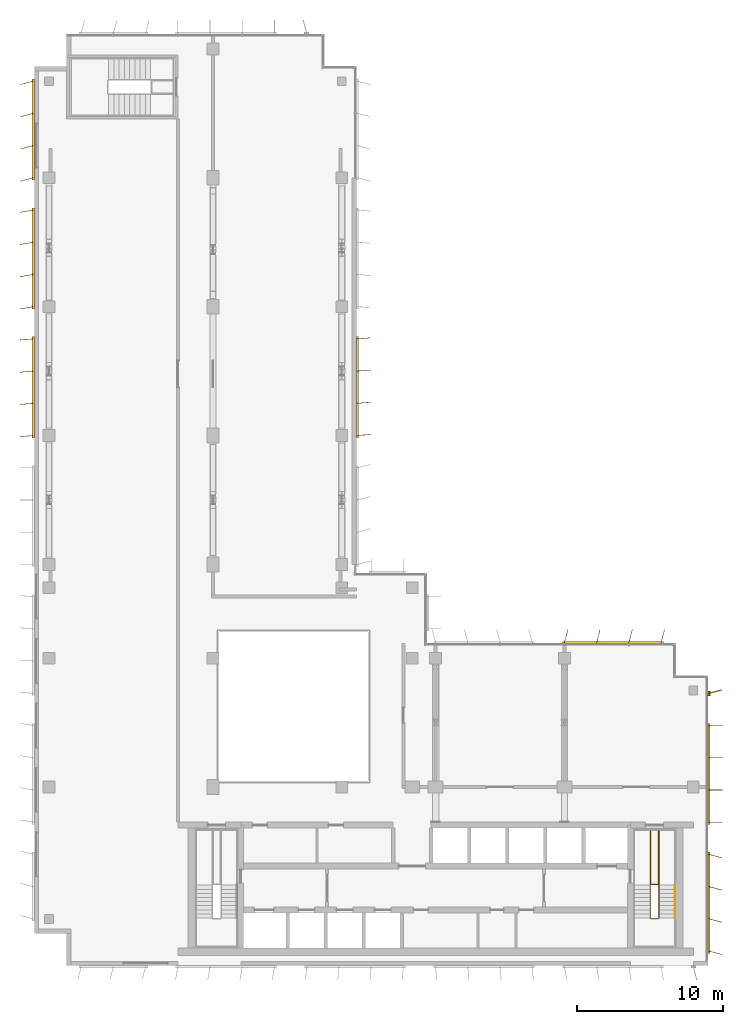
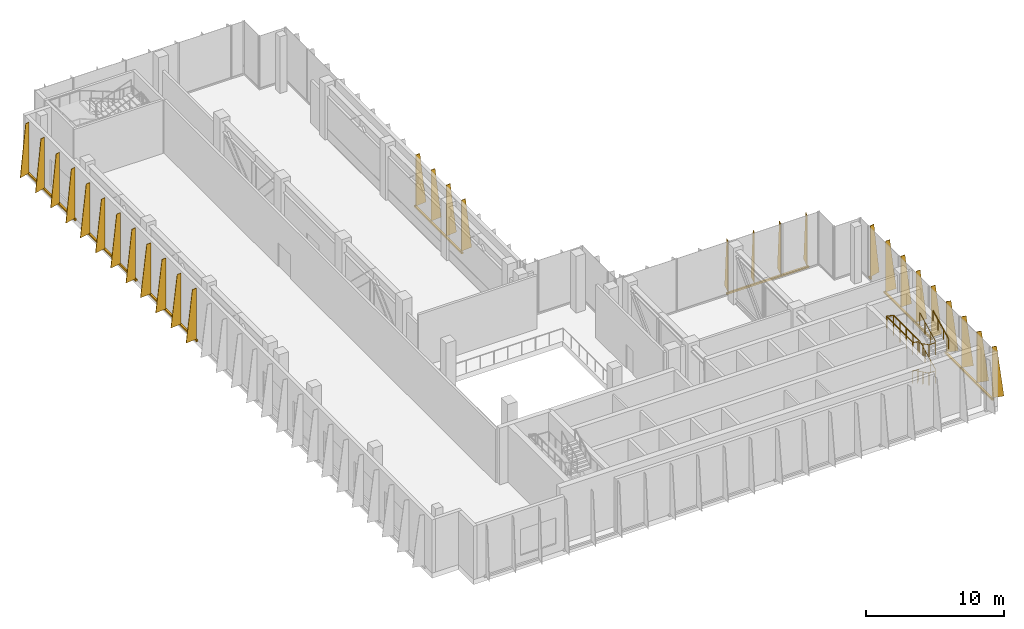
# One storey, part 12 of 13: 8 shading devices, 2 railings.
"""IFC4 building model written with IfcOpenShell, lengths in metres."""

from ifc_helpers import new_model, si_unit, direction, frame, origin, origin_2d, place, context, subcontext, project, spatial, polyline, rectangle, circle, outline, extrude, source, transform, mapped, material, layer, layer_set, type_object, element, save


model = new_model("IFC4")

# Units and contexts
model_context = context("Model", 3, precision=1e-05, world=origin(), true_north=direction((0.0, 1.0)))
body_context = subcontext(model_context, "Body", "Model", "MODEL_VIEW")
ifc_project = project(units=[si_unit("LENGTHUNIT", "METRE"), si_unit("AREAUNIT", "SQUARE_METRE"), si_unit("VOLUMEUNIT", "CUBIC_METRE"), si_unit("PLANEANGLEUNIT", "RADIAN"), si_unit("MASSUNIT", "GRAM", prefix="KILO")], contexts=[model_context])

# Site, building, storey
site_placement = place(None, origin())
site = spatial("IfcSite", under=ifc_project, at=site_placement, CompositionType="ELEMENT")
building_placement = place(site_placement, origin())
building = spatial("IfcBuilding", under=site, at=building_placement, Name="Kemantara Hotel Tower", CompositionType="ELEMENT")
storey_placement = place(building_placement, frame((0.0, 0.0, 256.10009765625)))
storey = spatial("IfcBuildingStorey", under=building, at=storey_placement, Name="L64", CompositionType="ELEMENT", Elevation=256.10009765625)

# Railings
ifc_material_1 = material(Name="Stainless steel balustrade", Category="steel")
railing_type_1 = type_object("IfcRailingType", Name="Stair guard 1100 mm", PredefinedType="GUARDRAIL", material=ifc_material_1)
railing_1_placement = place(storey_placement, frame((42.64990234375, 5.5, 5.0)))
element("IfcRailing", 1, at=railing_1_placement, inside=storey, type_object=railing_type_1, Name="L64 ST2 stair guard 1", PredefinedType="GUARDRAIL", context=body_context, shape_type="SweptSolid", body=[
    extrude(circle(Radius=0.02392578125, at=origin_2d()), frame((0.0, 0.0, 1.076171875), z_axis=(0.0, -0.895809322535, -0.44443858705), x_axis=(1.0, 0.0, 0.0)), (0.0, 0.0, 1.0), 2.50048828125),
    extrude(circle(Radius=0.02392578125, at=origin_2d()), frame((0.0, -2.239990234375, -0.03515625), z_axis=(-0.320055623881, -0.321624523998, -0.891135266492), x_axis=(0.708833529934, -0.705375805398, 0.0)), (0.0, 0.0, 1.0), 0.155517578125),
    extrude(circle(Radius=0.02392578125, at=origin_2d()), frame((-0.0498046875, -2.2900390625, -0.173828125), z_axis=(-1.0, 0.0, 0.0), x_axis=(0.0, -1.0, 0.0)), (0.0, 0.0, 1.0), 0.5),
    extrude(circle(Radius=0.02392578125, at=origin_2d()), frame((-0.5498046875, -2.2900390625, -0.173828125), z_axis=(-0.707106781187, 0.707106781187, 0.0), x_axis=(-0.707106781187, -0.707106781187, 0.0)), (0.0, 0.0, 1.0), 0.07080078125),
    extrude(circle(Radius=0.02392578125, at=origin_2d()), frame((-0.599853515625, -2.239990234375, -0.173828125), z_axis=(0.0, 0.895809322535, -0.44443858705), x_axis=(-1.0, 0.0, 0.0)), (0.0, 0.0, 1.0), 2.50048828125),
    extrude(circle(Radius=0.02392578125, at=origin_2d()), frame((-0.599853515625, 0.0, -1.28515625), z_axis=(0.0, 1.0, 0.0), x_axis=(-1.0, 0.0, 0.0)), (0.0, 0.0, 1.0), 3.780029296875),
    extrude(circle(Radius=0.02392578125, at=origin_2d()), frame((-0.599853515625, 3.780029296875, -1.28515625), z_axis=(0.969659572532, 0.0, -0.244459226453), x_axis=(0.0, 1.0, 0.0)), (0.0, 0.0, 1.0), 0.567138671875),
    extrude(circle(Radius=0.02392578125, at=origin_2d()), frame((-0.0498046875, 3.780029296875, -1.423828125), z_axis=(0.0, -1.0, 0.0), x_axis=(1.0, 0.0, 0.0)), (0.0, 0.0, 1.0), 3.72998046875),
    extrude(circle(Radius=0.02392578125, at=origin_2d()), frame((-0.0498046875, 0.050048828125, -1.423828125), z_axis=(-1.0, 0.0, 0.0), x_axis=(0.0, -1.0, 0.0)), (0.0, 0.0, 1.0), 0.5),
    extrude(circle(Radius=0.02392578125, at=origin_2d()), frame((-0.5498046875, 0.050048828125, -1.423828125), z_axis=(0.0, 1.0, 0.0), x_axis=(-1.0, 0.0, 0.0)), (0.0, 0.0, 1.0), 3.72998046875),
    extrude(circle(Radius=0.02392578125, at=origin_2d()), frame((-0.5498046875, 3.780029296875, -1.423828125), z_axis=(1.0, 0.0, 0.0), x_axis=(0.0, 1.0, 0.0)), (0.0, 0.0, 1.0), 0.5498046875),
    extrude(circle(Radius=0.02392578125, at=origin_2d()), frame((0.0, 3.780029296875, -1.423828125), z_axis=(0.0, -1.0, 0.0), x_axis=(1.0, 0.0, 0.0)), (0.0, 0.0, 1.0), 3.780029296875),
    extrude(circle(Radius=0.02392578125, at=origin_2d()), frame((0.0, 0.0, -1.423828125), z_axis=(0.0, -0.895809322535, -0.44443858705), x_axis=(1.0, 0.0, 0.0)), (0.0, 0.0, 1.0), 2.50048828125),
    extrude(circle(Radius=0.02392578125, at=origin_2d()), frame((0.0, -2.239990234375, -2.53515625), z_axis=(-0.320055623881, -0.321624523998, -0.891135266492), x_axis=(0.708833529934, -0.705375805398, 0.0)), (0.0, 0.0, 1.0), 0.155517578125),
    extrude(circle(Radius=0.02392578125, at=origin_2d()), frame((-0.0498046875, -2.2900390625, -2.673828125), z_axis=(-1.0, 0.0, 0.0), x_axis=(0.0, -1.0, 0.0)), (0.0, 0.0, 1.0), 0.5),
    extrude(circle(Radius=0.02392578125, at=origin_2d()), frame((-0.5498046875, -2.2900390625, -2.673828125), z_axis=(-0.707106781187, 0.707106781187, 0.0), x_axis=(-0.707106781187, -0.707106781187, 0.0)), (0.0, 0.0, 1.0), 0.07080078125),
    extrude(circle(Radius=0.02392578125, at=origin_2d()), frame((-0.599853515625, -2.239990234375, -2.673828125), z_axis=(0.0, 0.895809322535, -0.44443858705), x_axis=(-1.0, 0.0, 0.0)), (0.0, 0.0, 1.0), 2.50048828125),
    extrude(circle(Radius=0.02392578125, at=origin_2d()), frame((-0.599853515625, 0.0, -3.78515625), z_axis=(0.321462751274, 0.321462751274, -0.890687037677), x_axis=(-0.707106781187, 0.707106781187, 0.0)), (0.0, 0.0, 1.0), 0.15576171875),
    extrude(circle(Radius=0.02392578125, at=origin_2d()), frame((-0.5498046875, 0.050048828125, -3.923828125), z_axis=(1.0, 0.0, 0.0), x_axis=(0.0, 1.0, 0.0)), (0.0, 0.0, 1.0), 0.5),
    extrude(circle(Radius=0.02099609375, at=origin_2d()), origin(), (0.0, 0.0, 1.0), 1.052001953125),
    extrude(circle(Radius=0.02099609375, at=origin_2d()), frame((0.0, -0.74658203125, -0.370361328125)), (0.0, 0.0, 1.0), 1.052001953125),
    extrude(circle(Radius=0.02099609375, at=origin_2d()), frame((0.0, -1.493408203125, -0.740966796875)), (0.0, 0.0, 1.0), 1.052001953125),
    extrude(circle(Radius=0.02099609375, at=origin_2d()), frame((0.0, -2.239990234375, -1.111328125)), (0.0, 0.0, 1.0), 1.052001953125),
    extrude(circle(Radius=0.02099609375, at=origin_2d()), frame((-0.0498046875, -2.2900390625, -1.25)), (0.0, 0.0, 1.0), 1.052001953125),
    extrude(circle(Radius=0.02099609375, at=origin_2d()), frame((-0.5498046875, -2.2900390625, -1.25)), (0.0, 0.0, 1.0), 1.052001953125),
    extrude(circle(Radius=0.02099609375, at=origin_2d()), frame((-0.599853515625, -2.239990234375, -1.25)), (0.0, 0.0, 1.0), 1.052001953125),
    extrude(circle(Radius=0.02099609375, at=origin_2d()), frame((-0.599853515625, -1.493408203125, -1.620361328125)), (0.0, 0.0, 1.0), 1.052001953125),
    extrude(circle(Radius=0.02099609375, at=origin_2d()), frame((-0.599853515625, -0.74658203125, -1.990966796875)), (0.0, 0.0, 1.0), 1.052001953125),
    extrude(circle(Radius=0.02099609375, at=origin_2d()), frame((-0.599853515625, 0.0, -2.361328125)), (0.0, 0.0, 1.0), 1.052001953125),
    extrude(circle(Radius=0.02099609375, at=origin_2d()), frame((-0.599853515625, 0.945068359375, -2.361328125)), (0.0, 0.0, 1.0), 1.052001953125),
    extrude(circle(Radius=0.02099609375, at=origin_2d()), frame((-0.599853515625, 1.89013671875, -2.361328125)), (0.0, 0.0, 1.0), 1.052001953125),
    extrude(circle(Radius=0.02099609375, at=origin_2d()), frame((-0.599853515625, 2.8349609375, -2.361328125)), (0.0, 0.0, 1.0), 1.052001953125),
    extrude(circle(Radius=0.02099609375, at=origin_2d()), frame((-0.599853515625, 3.780029296875, -2.361328125)), (0.0, 0.0, 1.0), 1.052001953125),
    extrude(circle(Radius=0.02099609375, at=origin_2d()), frame((-0.0498046875, 3.780029296875, -2.5)), (0.0, 0.0, 1.0), 1.052001953125),
    extrude(circle(Radius=0.02099609375, at=origin_2d()), frame((-0.0498046875, 2.84765625, -2.5)), (0.0, 0.0, 1.0), 1.052001953125),
    extrude(circle(Radius=0.02099609375, at=origin_2d()), frame((-0.0498046875, 1.9150390625, -2.5)), (0.0, 0.0, 1.0), 1.052001953125),
    extrude(circle(Radius=0.02099609375, at=origin_2d()), frame((-0.0498046875, 0.982421875, -2.5)), (0.0, 0.0, 1.0), 1.052001953125),
    extrude(circle(Radius=0.02099609375, at=origin_2d()), frame((-0.0498046875, 0.050048828125, -2.5)), (0.0, 0.0, 1.0), 1.052001953125),
    extrude(circle(Radius=0.02099609375, at=origin_2d()), frame((-0.5498046875, 0.050048828125, -2.5)), (0.0, 0.0, 1.0), 1.052001953125),
    extrude(circle(Radius=0.02099609375, at=origin_2d()), frame((-0.5498046875, 0.982421875, -2.5)), (0.0, 0.0, 1.0), 1.052001953125),
    extrude(circle(Radius=0.02099609375, at=origin_2d()), frame((-0.5498046875, 1.9150390625, -2.5)), (0.0, 0.0, 1.0), 1.052001953125),
    extrude(circle(Radius=0.02099609375, at=origin_2d()), frame((-0.5498046875, 2.84765625, -2.5)), (0.0, 0.0, 1.0), 1.052001953125),
    extrude(circle(Radius=0.02099609375, at=origin_2d()), frame((-0.5498046875, 3.780029296875, -2.5)), (0.0, 0.0, 1.0), 1.052001953125),
    extrude(circle(Radius=0.02099609375, at=origin_2d()), frame((0.0, 3.780029296875, -2.5)), (0.0, 0.0, 1.0), 1.052001953125),
    extrude(circle(Radius=0.02099609375, at=origin_2d()), frame((0.0, 2.8349609375, -2.5)), (0.0, 0.0, 1.0), 1.052001953125),
    extrude(circle(Radius=0.02099609375, at=origin_2d()), frame((0.0, 1.89013671875, -2.5)), (0.0, 0.0, 1.0), 1.052001953125),
    extrude(circle(Radius=0.02099609375, at=origin_2d()), frame((0.0, 0.945068359375, -2.5)), (0.0, 0.0, 1.0), 1.052001953125),
    extrude(circle(Radius=0.02099609375, at=origin_2d()), frame((0.0, 0.0, -2.5)), (0.0, 0.0, 1.0), 1.052001953125),
    extrude(circle(Radius=0.02099609375, at=origin_2d()), frame((0.0, -0.74658203125, -2.870361328125)), (0.0, 0.0, 1.0), 1.052001953125),
    extrude(circle(Radius=0.02099609375, at=origin_2d()), frame((0.0, -1.493408203125, -3.240966796875)), (0.0, 0.0, 1.0), 1.052001953125),
    extrude(circle(Radius=0.02099609375, at=origin_2d()), frame((0.0, -2.239990234375, -3.611328125)), (0.0, 0.0, 1.0), 1.052001953125),
    extrude(circle(Radius=0.02099609375, at=origin_2d()), frame((-0.0498046875, -2.2900390625, -3.75)), (0.0, 0.0, 1.0), 1.052001953125),
    extrude(circle(Radius=0.02099609375, at=origin_2d()), frame((-0.5498046875, -2.2900390625, -3.75)), (0.0, 0.0, 1.0), 1.052001953125),
    extrude(circle(Radius=0.02099609375, at=origin_2d()), frame((-0.599853515625, -2.239990234375, -3.75)), (0.0, 0.0, 1.0), 1.052001953125),
    extrude(circle(Radius=0.02099609375, at=origin_2d()), frame((-0.599853515625, -1.493408203125, -4.120361328125)), (0.0, 0.0, 1.0), 1.052001953125),
    extrude(circle(Radius=0.02099609375, at=origin_2d()), frame((-0.599853515625, -0.74658203125, -4.490966796875)), (0.0, 0.0, 1.0), 1.052001953125),
    extrude(circle(Radius=0.02099609375, at=origin_2d()), frame((-0.599853515625, 0.0, -4.861328125)), (0.0, 0.0, 1.0), 1.052001953125),
    extrude(circle(Radius=0.02099609375, at=origin_2d()), frame((-0.5498046875, 0.050048828125, -5.0)), (0.0, 0.0, 1.0), 1.052001953125),
    extrude(circle(Radius=0.02099609375, at=origin_2d()), frame((-0.0498046875, 0.050048828125, -5.0)), (0.0, 0.0, 1.0), 1.052001953125),
])
railing_type_2 = type_object("IfcRailingType", Name="Stair handrail 900 mm", PredefinedType="HANDRAIL", material=ifc_material_1)
railing_2_placement = place(storey_placement, frame((43.75, 3.260009765625, 3.888671875)))
element("IfcRailing", 2, at=railing_2_placement, inside=storey, type_object=railing_type_2, Name="L64 ST2 stair handrail 3", PredefinedType="HANDRAIL", context=body_context, shape_type="SweptSolid", body=[
    extrude(circle(Radius=0.02392578125, at=origin_2d()), frame((0.0, 0.0, 0.8759765625), z_axis=(0.0, 0.895809322535, 0.44443858705), x_axis=(-1.0, 0.0, 0.0)), (0.0, 0.0, 1.0), 2.50048828125),
    extrude(circle(Radius=0.02099609375, at=origin_2d()), origin(), (0.0, 0.0, 1.0), 0.851806640625),
    extrude(circle(Radius=0.02099609375, at=origin_2d()), frame((0.0, 0.74658203125, 0.370361328125)), (0.0, 0.0, 1.0), 0.851806640625),
    extrude(circle(Radius=0.02099609375, at=origin_2d()), frame((0.0, 1.493408203125, 0.740966796875)), (0.0, 0.0, 1.0), 0.851806640625),
    extrude(circle(Radius=0.02099609375, at=origin_2d()), frame((0.0, 2.239990234375, 1.111328125)), (0.0, 0.0, 1.0), 0.851806640625),
])

# Shading devices
ifc_material_2 = material(Name="Perforated aluminium plate 4 mm bronze anodised", Category="aluminium")
ifc_layer_1 = layer(ifc_material_2, 0.0400390625)
ifc_layer_set_1 = layer_set([ifc_layer_1], Name="Perforated aluminium plate 4 mm bronze anodised")
shading_device_type_1 = type_object("IfcShadingDeviceType", Name="SCREEN FIN CASSETTE, 4 BLADES AT +0.0 DEG, 4500 HIGH", PredefinedType="USERDEFINED", material=ifc_layer_set_1)
shared_shape_1 = source(origin(), body_context, "Body", "SweptSolid", [
    extrude(rectangle(XDim=6.89990234375, YDim=0.14990234375, at=origin_2d()), frame((3.300048828125, -0.074951171875, -0.14990234375), z_axis=(0.0, 0.0, 1.0), x_axis=(1.0, 0.0, 0.0)), (0.0, 0.0, 1.0), 0.14990234375),
    extrude(outline(polyline([(0.0, 0.0), (0.89990234375, 0.0), (0.35009765625, 4.5), (0.0, 4.5), (0.0, 0.0)])), frame((0.02001953125, -0.074951171875, 0.0), z_axis=(-1.0, 0.0, 0.0), x_axis=(0.0, -1.0, 0.0)), (0.0, 0.0, 1.0), 0.0400390625),
    extrude(outline(polyline([(0.0, 0.0), (0.89990234375, 0.0), (0.35009765625, 4.5), (0.0, 4.5), (0.0, 0.0)])), frame((2.219970703125, -0.074951171875, 0.0), z_axis=(-1.0, 0.0, 0.0), x_axis=(0.0, -1.0, 0.0)), (0.0, 0.0, 1.0), 0.0400390625),
    extrude(outline(polyline([(0.0, 0.0), (0.89990234375, 0.0), (0.35009765625, 4.5), (0.0, 4.5), (0.0, 0.0)])), frame((4.419921875, -0.074951171875, 0.0), z_axis=(-1.0, 0.0, 0.0), x_axis=(0.0, -1.0, 0.0)), (0.0, 0.0, 1.0), 0.0400390625),
    extrude(outline(polyline([(0.0, 0.0), (0.89990234375, 0.0), (0.35009765625, 4.5), (0.0, 4.5), (0.0, 0.0)])), frame((6.6201171875, -0.074951171875, 0.0), z_axis=(-1.0, 0.0, 0.0), x_axis=(0.0, -1.0, 0.0)), (0.0, 0.0, 1.0), 0.0400390625),
])
shading_device_1_placement = place(storey_placement, frame((46.0, 9.800048828125, 0.099853515625), z_axis=(0.0, 0.0, 1.0), x_axis=(0.0, 1.0, 0.0)))
element("IfcShadingDevice", 3, at=shading_device_1_placement, inside=storey, type_object=shading_device_type_1, Name="SCREEN FIN CASSETTE L64 T4-R09-2", ObjectType="SCREEN FIN", PredefinedType="USERDEFINED", context=body_context, shape_type="MappedRepresentation", body=[
    mapped(shared_shape_1, transform((0.0, 0.0, 0.0))),
])
ifc_layer_2 = layer(ifc_material_2, 0.0400390625)
ifc_layer_set_2 = layer_set([ifc_layer_2], Name="Perforated aluminium plate 4 mm bronze anodised")
shading_device_type_2 = type_object("IfcShadingDeviceType", Name="SCREEN FIN CASSETTE, 4 BLADES AT +5.0 DEG, 4500 HIGH", PredefinedType="USERDEFINED", material=ifc_layer_set_2)
shared_shape_2 = source(origin(), body_context, "Body", "SweptSolid", [
    extrude(rectangle(XDim=6.89990234375, YDim=0.14990234375, at=origin_2d()), frame((3.300048828125, -0.074951171875, -0.14990234375), z_axis=(0.0, 0.0, 1.0), x_axis=(1.0, 0.0, 0.0)), (0.0, 0.0, 1.0), 0.14990234375),
    extrude(outline(polyline([(0.0, 0.0), (0.89990234375, 0.0), (0.35009765625, 4.5), (0.0, 4.5), (0.0, 0.0)])), frame((0.02001953125, -0.0732421875, 0.0), z_axis=(-0.996376129781, -0.085056498884, 0.0), x_axis=(0.085056498884, -0.996376129781, 0.0)), (0.0, 0.0, 1.0), 0.040283203125),
    extrude(outline(polyline([(0.0, 0.0), (0.89990234375, 0.0), (0.35009765625, 4.5), (0.0, 4.5), (0.0, 0.0)])), frame((2.219970703125, -0.0732421875, 0.0), z_axis=(-0.996331773833, -0.085574508182, 0.0), x_axis=(0.085574508182, -0.996331773833, 0.0)), (0.0, 0.0, 1.0), 0.0400390625),
    extrude(outline(polyline([(0.0, 0.0), (0.89990234375, 0.0), (0.35009765625, 4.5), (0.0, 4.5), (0.0, 0.0)])), frame((4.419921875, -0.0732421875, 0.0), z_axis=(-0.996331773833, -0.085574508182, 0.0), x_axis=(0.085574508182, -0.996331773833, 0.0)), (0.0, 0.0, 1.0), 0.0400390625),
    extrude(outline(polyline([(0.0, 0.0), (0.89990234375, 0.0), (0.35009765625, 4.5), (0.0, 4.5), (0.0, 0.0)])), frame((6.619873046875, -0.0732421875, 0.0), z_axis=(-0.996331773833, -0.085574508182, 0.0), x_axis=(0.085574508182, -0.996331773833, 0.0)), (0.0, 0.0, 1.0), 0.0400390625),
])
for number, where, z_axis, x_axis, name in (
    (4, (0.0, 42.800048828125, 0.099853515625), (0.0, 0.0, 1.0), (0.0, -1.0, 0.0), "SCREEN FIN CASSETTE L64 T4-R05-3"),
    (5, (22.0, 36.199951171875, 0.099853515625), (0.0, 0.0, 1.0), (0.0, 1.0, 0.0), "SCREEN FIN CASSETTE L64 T4-R15-2"),
):
    element("IfcShadingDevice", number, at=place(storey_placement, frame(where, z_axis=z_axis, x_axis=x_axis)), inside=storey, type_object=shading_device_type_2, Name=name, ObjectType="SCREEN FIN", PredefinedType="USERDEFINED", context=body_context, shape_type="MappedRepresentation", body=[
        mapped(shared_shape_2, transform((0.0, 0.0, 0.0))),
    ])
ifc_layer_3 = layer(ifc_material_2, 0.0400390625)
ifc_layer_set_3 = layer_set([ifc_layer_3], Name="Perforated aluminium plate 4 mm bronze anodised")
shading_device_type_3 = type_object("IfcShadingDeviceType", Name="SCREEN FIN CASSETTE, 4 BLADES AT +10.0 DEG, 4500 HIGH", PredefinedType="USERDEFINED", material=ifc_layer_set_3)
shared_shape_3 = source(origin(), body_context, "Body", "SweptSolid", [
    extrude(rectangle(XDim=6.89990234375, YDim=0.14990234375, at=origin_2d()), frame((3.300048828125, -0.074951171875, -0.14990234375), z_axis=(0.0, 0.0, 1.0), x_axis=(1.0, 0.0, 0.0)), (0.0, 0.0, 1.0), 0.14990234375),
    extrude(outline(polyline([(0.0, 0.0), (0.89990234375, 0.0), (0.35009765625, 4.5), (0.0, 4.5), (0.0, 0.0)])), frame((0.019775390625, -0.071533203125, 0.0), z_axis=(-0.985389793052, -0.170314285219, 0.0), x_axis=(0.170314285219, -0.985389793052, 0.0)), (0.0, 0.0, 1.0), 0.0400390625),
    extrude(outline(polyline([(0.0, 0.0), (0.89990234375, 0.0), (0.35009765625, 4.5), (0.0, 4.5), (0.0, 0.0)])), frame((2.2197265625, -0.071533203125, 0.0), z_axis=(-0.98521175482, -0.171341174751, 0.0), x_axis=(0.171341174751, -0.98521175482, 0.0)), (0.0, 0.0, 1.0), 0.039794921875),
    extrude(outline(polyline([(0.0, 0.0), (0.89990234375, 0.0), (0.35009765625, 4.5), (0.0, 4.5), (0.0, 0.0)])), frame((4.419677734375, -0.071533203125, 0.0), z_axis=(-0.98521175482, -0.171341174751, 0.0), x_axis=(0.171341174751, -0.98521175482, 0.0)), (0.0, 0.0, 1.0), 0.039794921875),
    extrude(outline(polyline([(0.0, 0.0), (0.89990234375, 0.0), (0.35009765625, 4.5), (0.0, 4.5), (0.0, 0.0)])), frame((6.61962890625, -0.071533203125, 0.0), z_axis=(-0.98521175482, -0.171341174751, 0.0), x_axis=(0.171341174751, -0.98521175482, 0.0)), (0.0, 0.0, 1.0), 0.039794921875),
])
shading_device_2_placement = place(storey_placement, frame((0.0, 51.60009765625, 0.099853515625), z_axis=(0.0, 0.0, 1.0), x_axis=(0.0, -1.0, 0.0)))
element("IfcShadingDevice", 6, at=shading_device_2_placement, inside=storey, type_object=shading_device_type_3, Name="SCREEN FIN CASSETTE L64 T4-R05-2", ObjectType="SCREEN FIN", PredefinedType="USERDEFINED", context=body_context, shape_type="MappedRepresentation", body=[
    mapped(shared_shape_3, transform((0.0, 0.0, 0.0))),
])
ifc_layer_4 = layer(ifc_material_2, 0.0400390625)
ifc_layer_set_4 = layer_set([ifc_layer_4], Name="Perforated aluminium plate 4 mm bronze anodised")
shading_device_type_4 = type_object("IfcShadingDeviceType", Name="SCREEN FIN CASSETTE, 4 BLADES AT +15.0 DEG, 4500 HIGH", PredefinedType="USERDEFINED", material=ifc_layer_set_4)
shared_shape_4 = source(origin(), body_context, "Body", "SweptSolid", [
    extrude(rectangle(XDim=6.89990234375, YDim=0.14990234375, at=origin_2d()), frame((3.300048828125, -0.074951171875, -0.14990234375), z_axis=(0.0, 0.0, 1.0), x_axis=(1.0, 0.0, 0.0)), (0.0, 0.0, 1.0), 0.14990234375),
    extrude(outline(polyline([(0.0, 0.0), (0.89990234375, 0.0), (0.35009765625, 4.5), (0.0, 4.5), (0.0, 0.0)])), frame((0.019287109375, -0.06982421875, 0.0), z_axis=(-0.966437683387, -0.256901156343, 0.0), x_axis=(0.256901156343, -0.966437683387, 0.0)), (0.0, 0.0, 1.0), 0.039794921875),
    extrude(outline(polyline([(0.0, 0.0), (0.89990234375, 0.0), (0.35009765625, 4.5), (0.0, 4.5), (0.0, 0.0)])), frame((2.21923828125, -0.06982421875, 0.0), z_axis=(-0.966437683387, -0.256901156343, 0.0), x_axis=(0.256901156343, -0.966437683387, 0.0)), (0.0, 0.0, 1.0), 0.039794921875),
    extrude(outline(polyline([(0.0, 0.0), (0.89990234375, 0.0), (0.35009765625, 4.5), (0.0, 4.5), (0.0, 0.0)])), frame((4.41943359375, -0.06982421875, 0.0), z_axis=(-0.966837822169, -0.255391122837, 0.0), x_axis=(0.255391122837, -0.966837822169, 0.0)), (0.0, 0.0, 1.0), 0.0400390625),
    extrude(outline(polyline([(0.0, 0.0), (0.89990234375, 0.0), (0.35009765625, 4.5), (0.0, 4.5), (0.0, 0.0)])), frame((6.619384765625, -0.06982421875, 0.0), z_axis=(-0.966837822169, -0.255391122837, 0.0), x_axis=(0.255391122837, -0.966837822169, 0.0)), (0.0, 0.0, 1.0), 0.0400390625),
])
shading_device_3_placement = place(storey_placement, frame((0.0, 60.39990234375, 0.099853515625), z_axis=(0.0, 0.0, 1.0), x_axis=(0.0, -1.0, 0.0)))
element("IfcShadingDevice", 7, at=shading_device_3_placement, inside=storey, type_object=shading_device_type_4, Name="SCREEN FIN CASSETTE L64 T4-R05-1", ObjectType="SCREEN FIN", PredefinedType="USERDEFINED", context=body_context, shape_type="MappedRepresentation", body=[
    mapped(shared_shape_4, transform((0.0, 0.0, 0.0))),
])
ifc_layer_5 = layer(ifc_material_2, 0.0400390625)
ifc_layer_set_5 = layer_set([ifc_layer_5], Name="Perforated aluminium plate 4 mm bronze anodised")
shading_device_type_5 = type_object("IfcShadingDeviceType", Name="SCREEN FIN CASSETTE, 4 BLADES AT -15.0 DEG, 4500 HIGH", PredefinedType="USERDEFINED", material=ifc_layer_set_5)
shared_shape_5 = source(origin(), body_context, "Body", "SweptSolid", [
    extrude(rectangle(XDim=6.89990234375, YDim=0.14990234375, at=origin_2d()), frame((3.300048828125, -0.074951171875, -0.14990234375), z_axis=(0.0, 0.0, 1.0), x_axis=(1.0, 0.0, 0.0)), (0.0, 0.0, 1.0), 0.14990234375),
    extrude(outline(polyline([(0.0, 0.0), (0.89990234375, 0.0), (0.35009765625, 4.5), (0.0, 4.5), (0.0, 0.0)])), frame((0.019287109375, -0.080078125, 0.0), z_axis=(-0.966437683387, 0.256901156343, 0.0), x_axis=(-0.256901156343, -0.966437683387, 0.0)), (0.0, 0.0, 1.0), 0.039794921875),
    extrude(outline(polyline([(0.0, 0.0), (0.89990234375, 0.0), (0.35009765625, 4.5), (0.0, 4.5), (0.0, 0.0)])), frame((2.21923828125, -0.080078125, 0.0), z_axis=(-0.966437683387, 0.256901156343, 0.0), x_axis=(-0.256901156343, -0.966437683387, 0.0)), (0.0, 0.0, 1.0), 0.039794921875),
    extrude(outline(polyline([(0.0, 0.0), (0.89990234375, 0.0), (0.35009765625, 4.5), (0.0, 4.5), (0.0, 0.0)])), frame((4.41943359375, -0.080078125, 0.0), z_axis=(-0.966837822169, 0.255391122837, 0.0), x_axis=(-0.255391122837, -0.966837822169, 0.0)), (0.0, 0.0, 1.0), 0.0400390625),
    extrude(outline(polyline([(0.0, 0.0), (0.89990234375, 0.0), (0.35009765625, 4.5), (0.0, 4.5), (0.0, 0.0)])), frame((6.619384765625, -0.080078125, 0.0), z_axis=(-0.966837822169, 0.255391122837, 0.0), x_axis=(-0.255391122837, -0.966837822169, 0.0)), (0.0, 0.0, 1.0), 0.0400390625),
])
for number, where, z_axis, x_axis, name in (
    (8, (46.0, 1.0, 0.099853515625), (0.0, 0.0, 1.0), (0.0, 1.0, 0.0), "SCREEN FIN CASSETTE L64 T4-R09-1"),
    (9, (42.800048828125, 22.0, 0.099853515625), (0.0, 0.0, 1.0), (-1.0, 0.0, 0.0), "SCREEN FIN CASSETTE L64 T4-R12-1"),
):
    element("IfcShadingDevice", number, at=place(storey_placement, frame(where, z_axis=z_axis, x_axis=x_axis)), inside=storey, type_object=shading_device_type_5, Name=name, ObjectType="SCREEN FIN", PredefinedType="USERDEFINED", context=body_context, shape_type="MappedRepresentation", body=[
        mapped(shared_shape_5, transform((0.0, 0.0, 0.0))),
    ])
ifc_layer_6 = layer(ifc_material_2, 0.0400390625)
ifc_layer_set_6 = layer_set([ifc_layer_6], Name="Perforated aluminium plate 4 mm bronze anodised")
shading_device_type_6 = type_object("IfcShadingDeviceType", Name="SCREEN FIN CASSETTE, 1 BLADE AT +15.0 DEG, 4500 HIGH", PredefinedType="USERDEFINED", material=ifc_layer_set_6)
shared_shape_6 = source(origin(), body_context, "Body", "SweptSolid", [
    extrude(rectangle(XDim=0.300048828125, YDim=0.14990234375, at=origin_2d()), frame((0.0, -0.074951171875, -0.14990234375), z_axis=(0.0, 0.0, 1.0), x_axis=(1.0, 0.0, 0.0)), (0.0, 0.0, 1.0), 0.14990234375),
    extrude(outline(polyline([(0.0, 0.0), (0.89990234375, 0.0), (0.35009765625, 4.5), (0.0, 4.5), (0.0, 0.0)])), frame((0.019287109375, -0.06982421875, 0.0), z_axis=(-0.966437683387, -0.256901156343, 0.0), x_axis=(0.256901156343, -0.966437683387, 0.0)), (0.0, 0.0, 1.0), 0.039794921875),
])
shading_device_4_placement = place(storey_placement, frame((46.0, 18.60009765625, 0.099853515625), z_axis=(0.0, 0.0, 1.0), x_axis=(0.0, 1.0, 0.0)))
element("IfcShadingDevice", 10, at=shading_device_4_placement, inside=storey, type_object=shading_device_type_6, Name="SCREEN FIN CASSETTE L64 T4-R09-3", ObjectType="SCREEN FIN", PredefinedType="USERDEFINED", context=body_context, shape_type="MappedRepresentation", body=[
    mapped(shared_shape_6, transform((0.0, 0.0, 0.0))),
])

save(model, "model.ifc")
